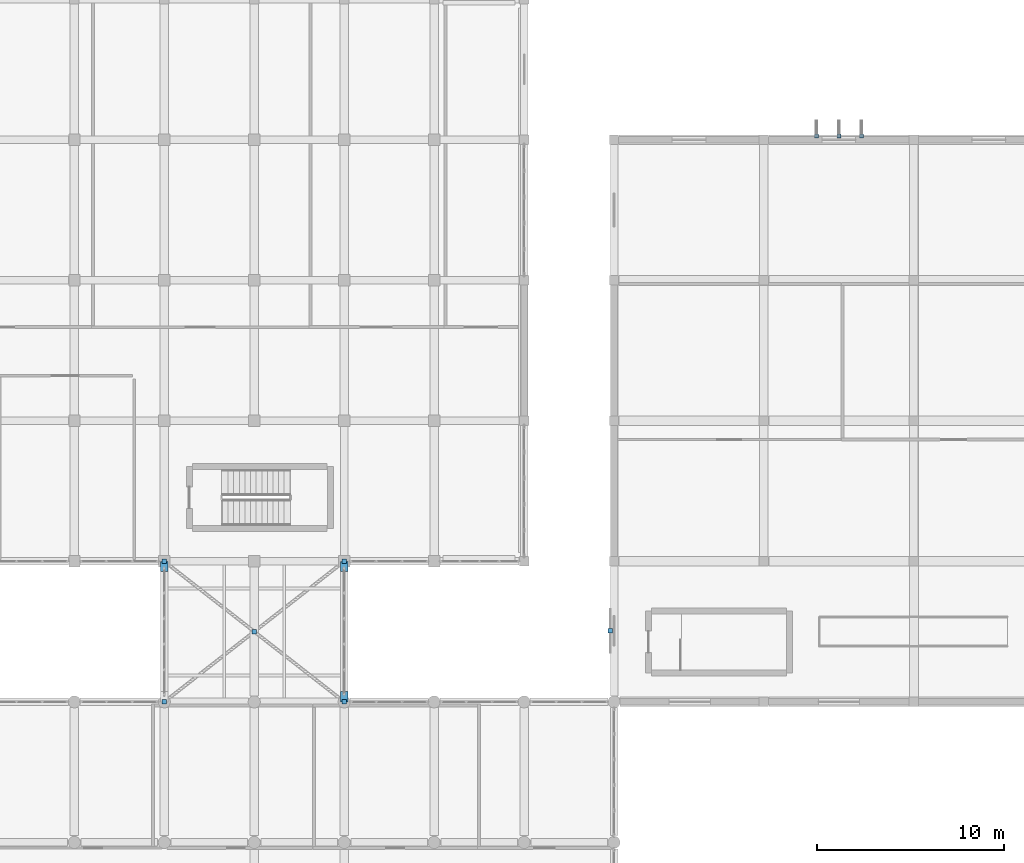
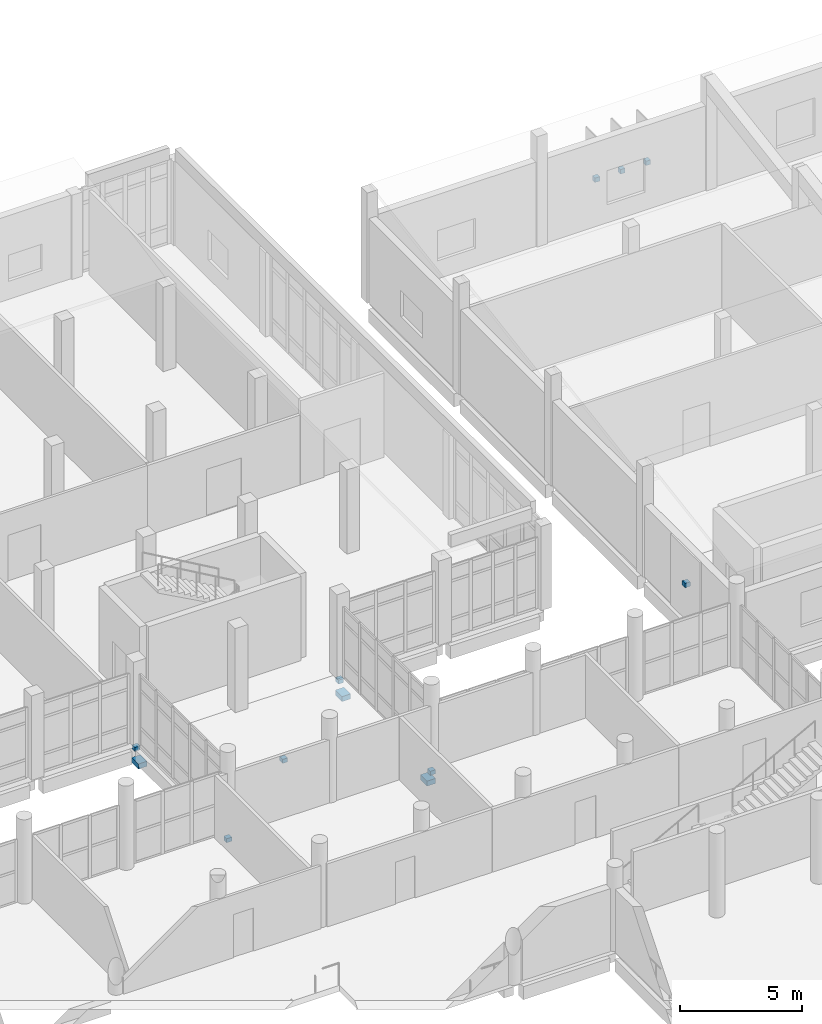
# One storey, part 151 of 164: 12 discrete accessories.
"""IFC4 building model written with IfcOpenShell, lengths in metres."""

from ifc_helpers import new_model, si_unit, direction, frame, origin, origin_2d, place, context, subcontext, project, spatial, rectangle, extrude, material, layer, layer_set, type_object, element, save


model = new_model("IFC4")

# Units and contexts
model_context = context("Model", 3, precision=1e-05, world=origin(), true_north=direction((0.0, 1.0)))
body_context = subcontext(model_context, "Body", "Model", "MODEL_VIEW")
ifc_project = project(units=[si_unit("LENGTHUNIT", "METRE"), si_unit("AREAUNIT", "SQUARE_METRE"), si_unit("VOLUMEUNIT", "CUBIC_METRE"), si_unit("PLANEANGLEUNIT", "RADIAN"), si_unit("MASSUNIT", "GRAM", prefix="KILO")], contexts=[model_context])

# Site, building, storey
site_placement = place(None, origin())
site = spatial("IfcSite", under=ifc_project, at=site_placement, CompositionType="ELEMENT")
building_placement = place(site_placement, origin())
building = spatial("IfcBuilding", under=site, at=building_placement, Name="Mawjan Specialist Oncology Clinic", CompositionType="ELEMENT")
storey_placement = place(building_placement, frame((0.0, 0.0, 5.0)))
storey = spatial("IfcBuildingStorey", under=building, at=storey_placement, Name="L01", CompositionType="ELEMENT", Elevation=5.0)

# Discrete accessories
ifc_material = material(Name="Structural steel S355", Category="steel")
ifc_layer = layer(ifc_material, 0.219970703125, Name="Structural steel S355", Category="steel")
ifc_layer_set = layer_set([ifc_layer], Name="Structural steel S355")
discrete_accessory_type = type_object("IfcDiscreteAccessoryType", Name="BRK-S355", PredefinedType="BRACKET", material=ifc_layer_set)
for number, where, z_axis, x_axis, name in (
    (1, (93.60009765625, 76.074951171875, -1.0048828125), (0.0, 0.0, 1.0), (1.0, 0.0, 0.0), "Skybridge L01 SE 550mm Seat 300mm PTFE Sliding Bearing Pad"),
    (2, (84.0, 83.02490234375, -1.0048828125), (0.0, 0.0, 1.0), (1.0, 0.0, 0.0), "Skybridge L01 NW 550mm Seat 300mm PTFE Sliding Bearing Pad"),
    (3, (93.60009765625, 83.02490234375, -1.0048828125), (0.0, 0.0, 1.0), (1.0, 0.0, 0.0), "Skybridge L01 NE 550mm Seat 300mm PTFE Sliding Bearing Pad"),
):
    element("IfcDiscreteAccessory", number, at=place(storey_placement, frame(where, z_axis=z_axis, x_axis=x_axis)), inside=storey, type_object=discrete_accessory_type, Name=name, PredefinedType="BRACKET", context=body_context, shape_type="SweptSolid", body=[
        extrude(rectangle(XDim=0.39990234375, YDim=0.550048828125, at=origin_2d()), origin(), (0.0, 0.0, 1.0), 0.25),
    ])
for number, where, z_axis, x_axis, name in (
    (4, (88.800048828125, 79.550048828125, -0.419921875), (0.0, 0.0, 1.0), (1.0, 0.0, 0.0), "Skybridge L01 X-Brace Crossing Gusset Plate"),
    (5, (84.0, 75.800048828125, -0.419921875), (0.0, 0.0, 1.0), (1.0, 0.0, 0.0), "Brace End Gusset Connection Plate 1"),
    (6, (93.60009765625, 83.300048828125, -0.419921875), (0.0, 0.0, 1.0), (1.0, 0.0, 0.0), "Brace End Gusset Connection Plate 2"),
    (7, (93.60009765625, 75.800048828125, -0.419921875), (0.0, 0.0, 1.0), (1.0, 0.0, 0.0), "Brace End Gusset Connection Plate 3"),
    (8, (84.0, 83.300048828125, -0.419921875), (0.0, 0.0, 1.0), (1.0, 0.0, 0.0), "Brace End Gusset Connection Plate 4"),
):
    element("IfcDiscreteAccessory", number, at=place(storey_placement, frame(where, z_axis=z_axis, x_axis=x_axis)), inside=storey, type_object=discrete_accessory_type, Name=name, PredefinedType="BRACKET", context=body_context, shape_type="SweptSolid", body=[
        extrude(rectangle(XDim=0.239990234375, YDim=0.239990234375, at=origin_2d()), origin(), (0.0, 0.0, 1.0), 0.199951171875),
    ])
discrete_accessory_placement = place(storey_placement, frame((107.804931640625, 79.58740234375, 1.65771484375), z_axis=(0.0, 0.0, 1.0), x_axis=(0.0, 1.0, 0.0)))
element("IfcDiscreteAccessory", 9, at=discrete_accessory_placement, inside=storey, type_object=discrete_accessory_type, Name="Rawshan Screen Mounting Bracket 4", PredefinedType="BRACKET", context=body_context, shape_type="SweptSolid", body=[
    extrude(rectangle(XDim=0.239990234375, YDim=0.239990234375, at=origin_2d()), origin(), (0.0, 0.0, 1.0), 0.219970703125),
])
for number, where, z_axis, x_axis, name in (
    (10, (118.800048828125, 105.9951171875, 1.990234375), (0.0, 0.0, 1.0), (1.0, 0.0, 0.0), "Solar Fin Mounting Bracket 5"),
    (11, (120.0, 105.9951171875, 1.990234375), (0.0, 0.0, 1.0), (1.0, 0.0, 0.0), "Solar Fin Mounting Bracket 6"),
    (12, (121.199951171875, 105.9951171875, 1.990234375), (0.0, 0.0, 1.0), (1.0, 0.0, 0.0), "Solar Fin Mounting Bracket 7"),
):
    element("IfcDiscreteAccessory", number, at=place(storey_placement, frame(where, z_axis=z_axis, x_axis=x_axis)), inside=storey, type_object=discrete_accessory_type, Name=name, PredefinedType="BRACKET", context=body_context, shape_type="SweptSolid", body=[
        extrude(rectangle(XDim=0.219970703125, YDim=0.219970703125, at=origin_2d()), origin(), (0.0, 0.0, 1.0), 0.219970703125),
    ])

save(model, "model.ifc")
